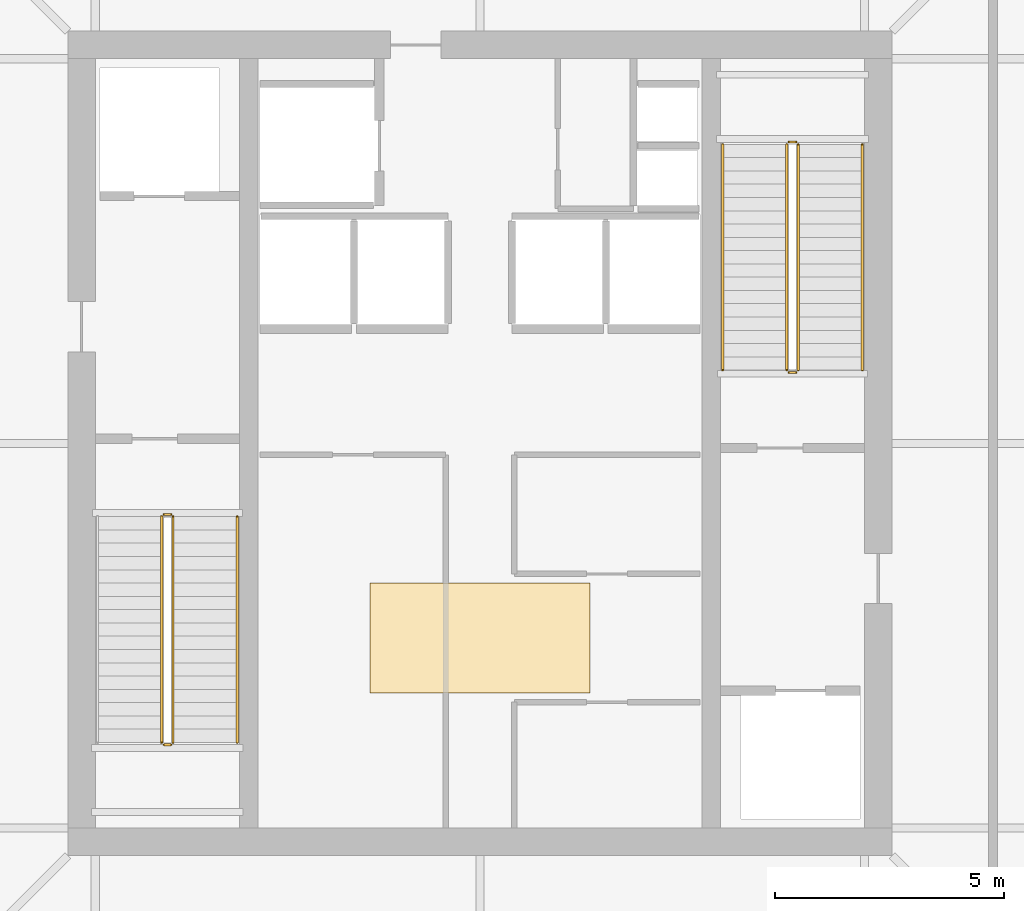
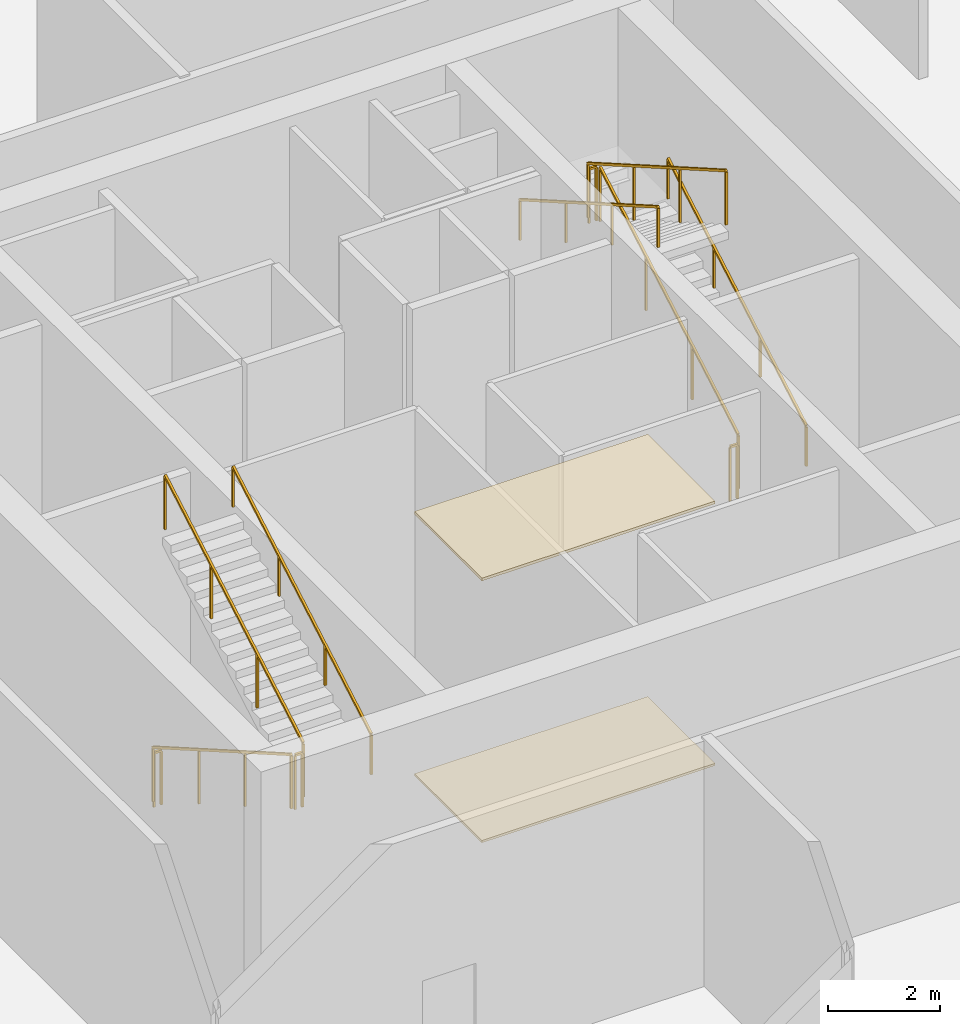
# One storey, part 6 of 7: 11 railings, 2 coverings.
"""IFC4 building model written with IfcOpenShell, lengths in metres."""

from ifc_helpers import new_model, si_unit, direction, frame, origin, origin_2d, place, context, subcontext, project, spatial, polyline, rectangle, outline, extrude, material, layer, layer_set, type_object, element, save


model = new_model("IFC4")

# Units and contexts
model_context = context("Model", 3, precision=1e-05, world=origin(), true_north=direction((0.0, 1.0)))
body_context = subcontext(model_context, "Body", "Model", "MODEL_VIEW")
ifc_project = project(units=[si_unit("LENGTHUNIT", "METRE"), si_unit("AREAUNIT", "SQUARE_METRE"), si_unit("VOLUMEUNIT", "CUBIC_METRE"), si_unit("PLANEANGLEUNIT", "RADIAN"), si_unit("MASSUNIT", "GRAM", prefix="KILO")], contexts=[model_context])

# Site, building, storey
site_placement = place(None, origin())
site = spatial("IfcSite", under=ifc_project, at=site_placement, CompositionType="ELEMENT")
building_placement = place(site_placement, origin())
building = spatial("IfcBuilding", under=site, at=building_placement, Name="Belovzor Exchange Tower", CompositionType="ELEMENT")
storey_placement = place(building_placement, frame((0.0, 0.0, 289.5)))
storey = spatial("IfcBuildingStorey", under=building, at=storey_placement, Name="L72", CompositionType="ELEMENT", Elevation=289.5)

# Railings
ifc_material_1 = material(Name="Stainless Steel Grade 304", Category="steel")
railing_type_1 = type_object("IfcRailingType", Name="Brushed Stainless Steel Stair Handrail 900", PredefinedType="HANDRAIL", material=ifc_material_1)
railing_1_placement = place(storey_placement, frame((23.5, 22.27001953125, 3.166748046875)))
element("IfcRailing", 1, at=railing_1_placement, inside=storey, type_object=railing_type_1, Name="L72 ST-1 stair handrail 2", PredefinedType="HANDRAIL", context=body_context, shape_type="SweptSolid", body=[
    extrude(rectangle(XDim=0.048095703125, YDim=0.048095703125, at=origin_2d()), frame((0.0, 0.0, 0.8759765625), z_axis=(0.0, 0.867017142139, 0.498278311025), x_axis=(-1.0, 0.0, 0.0)), (0.0, 0.0, 1.0), 5.68603515625),
    extrude(rectangle(XDim=0.0419921875, YDim=0.0419921875, at=origin_2d()), origin(), (0.0, 0.0, 1.0), 0.851806640625),
    extrude(rectangle(XDim=0.0419921875, YDim=0.0419921875, at=origin_2d()), frame((0.0, 1.643310546875, 0.9443359375)), (0.0, 0.0, 1.0), 0.851806640625),
    extrude(rectangle(XDim=0.0419921875, YDim=0.0419921875, at=origin_2d()), frame((0.0, 3.28662109375, 1.888916015625)), (0.0, 0.0, 1.0), 0.851806640625),
    extrude(rectangle(XDim=0.0419921875, YDim=0.0419921875, at=origin_2d()), frame((0.0, 4.929931640625, 2.833251953125)), (0.0, 0.0, 1.0), 0.851806640625),
])
railing_2_placement = place(storey_placement, frame((37.14990234375, 30.39990234375, 0.166748046875)))
element("IfcRailing", 2, at=railing_2_placement, inside=storey, type_object=railing_type_1, Name="L72 ST-2 stair handrail 1", PredefinedType="HANDRAIL", context=body_context, shape_type="SweptSolid", body=[
    extrude(rectangle(XDim=0.048095703125, YDim=0.048095703125, at=origin_2d()), frame((0.0, 0.0, 0.8759765625), z_axis=(0.0, 0.867027801877, 0.498259762345), x_axis=(-1.0, 0.0, 0.0)), (0.0, 0.0, 1.0), 5.686279296875),
    extrude(rectangle(XDim=0.0419921875, YDim=0.0419921875, at=origin_2d()), origin(), (0.0, 0.0, 1.0), 0.851806640625),
    extrude(rectangle(XDim=0.0419921875, YDim=0.0419921875, at=origin_2d()), frame((0.0, 1.643310546875, 0.9443359375)), (0.0, 0.0, 1.0), 0.851806640625),
    extrude(rectangle(XDim=0.0419921875, YDim=0.0419921875, at=origin_2d()), frame((0.0, 3.286865234375, 1.888916015625)), (0.0, 0.0, 1.0), 0.851806640625),
    extrude(rectangle(XDim=0.0419921875, YDim=0.0419921875, at=origin_2d()), frame((0.0, 4.93017578125, 2.833251953125)), (0.0, 0.0, 1.0), 0.851806640625),
])
railing_3_placement = place(storey_placement, frame((34.10009765625, 35.330078125, 3.166748046875)))
element("IfcRailing", 3, at=railing_3_placement, inside=storey, type_object=railing_type_1, Name="L72 ST-2 stair handrail 2", PredefinedType="HANDRAIL", context=body_context, shape_type="SweptSolid", body=[
    extrude(rectangle(XDim=0.048095703125, YDim=0.048095703125, at=origin_2d()), frame((0.0, 0.0, 0.8759765625), z_axis=(0.0, -0.867027801877, 0.498259762345), x_axis=(1.0, 0.0, 0.0)), (0.0, 0.0, 1.0), 5.686279296875),
    extrude(rectangle(XDim=0.0419921875, YDim=0.0419921875, at=origin_2d()), origin(), (0.0, 0.0, 1.0), 0.851806640625),
    extrude(rectangle(XDim=0.0419921875, YDim=0.0419921875, at=origin_2d()), frame((0.0, -1.643310546875, 0.9443359375)), (0.0, 0.0, 1.0), 0.851806640625),
    extrude(rectangle(XDim=0.0419921875, YDim=0.0419921875, at=origin_2d()), frame((0.0, -3.286865234375, 1.888916015625)), (0.0, 0.0, 1.0), 0.851806640625),
    extrude(rectangle(XDim=0.0419921875, YDim=0.0419921875, at=origin_2d()), frame((0.0, -4.93017578125, 2.833251953125)), (0.0, 0.0, 1.0), 0.851806640625),
])
ifc_material_2 = material(Name="Steel S355", Category="steel")
railing_type_2 = type_object("IfcRailingType", Name="Painted Steel Stairwell Guardrail 1200", PredefinedType="GUARDRAIL", material=ifc_material_2)
railing_4_placement = place(storey_placement, frame((21.85009765625, 27.199951171875, 0.166748046875)))
element("IfcRailing", 4, at=railing_4_placement, inside=storey, type_object=railing_type_2, Name="L72 ST-1 stair guard 1", PredefinedType="GUARDRAIL", context=body_context, shape_type="SweptSolid", body=[
    extrude(rectangle(XDim=0.048095703125, YDim=0.048095703125, at=origin_2d()), frame((0.0, 0.0, 1.17578125), z_axis=(0.0, -0.867017142139, 0.498278311025), x_axis=(1.0, 0.0, 0.0)), (0.0, 0.0, 1.0), 5.68603515625),
    extrude(rectangle(XDim=0.0419921875, YDim=0.0419921875, at=origin_2d()), origin(), (0.0, 0.0, 1.0), 1.15185546875),
    extrude(rectangle(XDim=0.0419921875, YDim=0.0419921875, at=origin_2d()), frame((0.0, -1.643310546875, 0.9443359375)), (0.0, 0.0, 1.0), 1.15185546875),
    extrude(rectangle(XDim=0.0419921875, YDim=0.0419921875, at=origin_2d()), frame((0.0, -3.28662109375, 1.888916015625)), (0.0, 0.0, 1.0), 1.15185546875),
    extrude(rectangle(XDim=0.0419921875, YDim=0.0419921875, at=origin_2d()), frame((0.0, -4.929931640625, 2.833251953125)), (0.0, 0.0, 1.0), 1.15185546875),
])
railing_5_placement = place(storey_placement, frame((21.89990234375, 22.219970703125, 3.0)))
element("IfcRailing", 5, at=railing_5_placement, inside=storey, type_object=railing_type_2, Name="L72 ST-1 stair guard 2", PredefinedType="GUARDRAIL", context=body_context, shape_type="SweptSolid", body=[
    extrude(rectangle(XDim=0.048095703125, YDim=0.048095703125, at=origin_2d()), frame((0.0, 0.0, 1.17578125), z_axis=(1.0, 0.0, 0.0), x_axis=(0.0, 1.0, 0.0)), (0.0, 0.0, 1.0), 0.150146484375),
    extrude(rectangle(XDim=0.0419921875, YDim=0.0419921875, at=origin_2d()), origin(), (0.0, 0.0, 1.0), 1.15185546875),
    extrude(rectangle(XDim=0.0419921875, YDim=0.0419921875, at=origin_2d()), frame((0.150146484375, 0.0, 0.0)), (0.0, 0.0, 1.0), 1.15185546875),
])
railing_6_placement = place(storey_placement, frame((22.10009765625, 22.27001953125, 3.166748046875)))
element("IfcRailing", 6, at=railing_6_placement, inside=storey, type_object=railing_type_2, Name="L72 ST-1 stair guard 3", PredefinedType="GUARDRAIL", context=body_context, shape_type="SweptSolid", body=[
    extrude(rectangle(XDim=0.048095703125, YDim=0.048095703125, at=origin_2d()), frame((0.0, 0.0, 1.17578125), z_axis=(0.0, 0.867017142139, 0.498278311025), x_axis=(-1.0, 0.0, 0.0)), (0.0, 0.0, 1.0), 5.68603515625),
    extrude(rectangle(XDim=0.0419921875, YDim=0.0419921875, at=origin_2d()), origin(), (0.0, 0.0, 1.0), 1.15185546875),
    extrude(rectangle(XDim=0.0419921875, YDim=0.0419921875, at=origin_2d()), frame((0.0, 1.643310546875, 0.9443359375)), (0.0, 0.0, 1.0), 1.15185546875),
    extrude(rectangle(XDim=0.0419921875, YDim=0.0419921875, at=origin_2d()), frame((0.0, 3.28662109375, 1.888916015625)), (0.0, 0.0, 1.0), 1.15185546875),
    extrude(rectangle(XDim=0.0419921875, YDim=0.0419921875, at=origin_2d()), frame((0.0, 4.929931640625, 2.833251953125)), (0.0, 0.0, 1.0), 1.15185546875),
])
railing_7_placement = place(storey_placement, frame((21.89990234375, 27.25, 0.0)))
element("IfcRailing", 7, at=railing_7_placement, inside=storey, type_object=railing_type_2, Name="L72 ST-1 stair guard 4", PredefinedType="GUARDRAIL", context=body_context, shape_type="SweptSolid", body=[
    extrude(rectangle(XDim=0.048095703125, YDim=0.048095703125, at=origin_2d()), frame((0.0, 0.0, 1.17578125), z_axis=(1.0, 0.0, 0.0), x_axis=(0.0, 1.0, 0.0)), (0.0, 0.0, 1.0), 0.150146484375),
    extrude(rectangle(XDim=0.0419921875, YDim=0.0419921875, at=origin_2d()), origin(), (0.0, 0.0, 1.0), 1.15185546875),
    extrude(rectangle(XDim=0.0419921875, YDim=0.0419921875, at=origin_2d()), frame((0.150146484375, 0.0, 0.0)), (0.0, 0.0, 1.0), 1.15185546875),
])
railing_8_placement = place(storey_placement, frame((35.75, 30.39990234375, 0.166748046875)))
element("IfcRailing", 8, at=railing_8_placement, inside=storey, type_object=railing_type_2, Name="L72 ST-2 stair guard 1", PredefinedType="GUARDRAIL", context=body_context, shape_type="SweptSolid", body=[
    extrude(rectangle(XDim=0.048095703125, YDim=0.048095703125, at=origin_2d()), frame((0.0, 0.0, 1.17578125), z_axis=(0.0, 0.867027801877, 0.498259762345), x_axis=(-1.0, 0.0, 0.0)), (0.0, 0.0, 1.0), 5.686279296875),
    extrude(rectangle(XDim=0.0419921875, YDim=0.0419921875, at=origin_2d()), origin(), (0.0, 0.0, 1.0), 1.15185546875),
    extrude(rectangle(XDim=0.0419921875, YDim=0.0419921875, at=origin_2d()), frame((0.0, 1.643310546875, 0.9443359375)), (0.0, 0.0, 1.0), 1.15185546875),
    extrude(rectangle(XDim=0.0419921875, YDim=0.0419921875, at=origin_2d()), frame((0.0, 3.286865234375, 1.888916015625)), (0.0, 0.0, 1.0), 1.15185546875),
    extrude(rectangle(XDim=0.0419921875, YDim=0.0419921875, at=origin_2d()), frame((0.0, 4.93017578125, 2.833251953125)), (0.0, 0.0, 1.0), 1.15185546875),
])
railing_9_placement = place(storey_placement, frame((35.699951171875, 35.3798828125, 3.0)))
element("IfcRailing", 9, at=railing_9_placement, inside=storey, type_object=railing_type_2, Name="L72 ST-2 stair guard 2", PredefinedType="GUARDRAIL", context=body_context, shape_type="SweptSolid", body=[
    extrude(rectangle(XDim=0.048095703125, YDim=0.048095703125, at=origin_2d()), frame((0.0, 0.0, 1.17578125), z_axis=(-1.0, 0.0, 0.0), x_axis=(0.0, -1.0, 0.0)), (0.0, 0.0, 1.0), 0.14990234375),
    extrude(rectangle(XDim=0.0419921875, YDim=0.0419921875, at=origin_2d()), origin(), (0.0, 0.0, 1.0), 1.15185546875),
    extrude(rectangle(XDim=0.0419921875, YDim=0.0419921875, at=origin_2d()), frame((-0.14990234375, 0.0, 0.0)), (0.0, 0.0, 1.0), 1.15185546875),
])
railing_10_placement = place(storey_placement, frame((35.5, 35.330078125, 3.166748046875)))
element("IfcRailing", 10, at=railing_10_placement, inside=storey, type_object=railing_type_2, Name="L72 ST-2 stair guard 3", PredefinedType="GUARDRAIL", context=body_context, shape_type="SweptSolid", body=[
    extrude(rectangle(XDim=0.048095703125, YDim=0.048095703125, at=origin_2d()), frame((0.0, 0.0, 1.17578125), z_axis=(0.0, -0.867027801877, 0.498259762345), x_axis=(1.0, 0.0, 0.0)), (0.0, 0.0, 1.0), 5.686279296875),
    extrude(rectangle(XDim=0.0419921875, YDim=0.0419921875, at=origin_2d()), origin(), (0.0, 0.0, 1.0), 1.15185546875),
    extrude(rectangle(XDim=0.0419921875, YDim=0.0419921875, at=origin_2d()), frame((0.0, -1.643310546875, 0.9443359375)), (0.0, 0.0, 1.0), 1.15185546875),
    extrude(rectangle(XDim=0.0419921875, YDim=0.0419921875, at=origin_2d()), frame((0.0, -3.286865234375, 1.888916015625)), (0.0, 0.0, 1.0), 1.15185546875),
    extrude(rectangle(XDim=0.0419921875, YDim=0.0419921875, at=origin_2d()), frame((0.0, -4.93017578125, 2.833251953125)), (0.0, 0.0, 1.0), 1.15185546875),
])
railing_11_placement = place(storey_placement, frame((35.699951171875, 30.35009765625, 0.0)))
element("IfcRailing", 11, at=railing_11_placement, inside=storey, type_object=railing_type_2, Name="L72 ST-2 stair guard 4", PredefinedType="GUARDRAIL", context=body_context, shape_type="SweptSolid", body=[
    extrude(rectangle(XDim=0.048095703125, YDim=0.048095703125, at=origin_2d()), frame((0.0, 0.0, 1.17578125), z_axis=(-1.0, 0.0, 0.0), x_axis=(0.0, -1.0, 0.0)), (0.0, 0.0, 1.0), 0.14990234375),
    extrude(rectangle(XDim=0.0419921875, YDim=0.0419921875, at=origin_2d()), origin(), (0.0, 0.0, 1.0), 1.15185546875),
    extrude(rectangle(XDim=0.0419921875, YDim=0.0419921875, at=origin_2d()), frame((-0.14990234375, 0.0, 0.0)), (0.0, 0.0, 1.0), 1.15185546875),
])

# Coverings
ifc_material_3 = material(Name="Perforated Powder-Coated Aluminium", Category="aluminium")
ifc_layer_1 = layer(ifc_material_3, 0.06005859375)
ifc_layer_set_1 = layer_set([ifc_layer_1], Name="Perforated Powder-Coated Aluminium")
covering_type_1 = type_object("IfcCoveringType", Name="Perforated Acoustic Metal Tile Suspended Ceiling 60", PredefinedType="CEILING", material=ifc_layer_set_1)
covering_1_placement = place(storey_placement, frame((0.0, 0.0, 5.699951171875)))
element("IfcCovering", 12, at=covering_1_placement, inside=storey, type_object=covering_type_1, Name="CLG-AC60 Suspended Ceiling CLG-L72-LOB", PredefinedType="CEILING", context=body_context, shape_type="SweptSolid", body=[
    extrude(outline(polyline([(26.39990234375, 23.35009765625), (31.199951171875, 23.35009765625), (31.199951171875, 25.75), (26.39990234375, 25.75), (26.39990234375, 23.35009765625)])), origin(), (0.0, 0.0, 1.0), 0.06005859375),
])
ifc_material_4 = material(Name="Polished Natural Granite Tile", Category="masonry")
ifc_layer_2 = layer(ifc_material_4, 0.050048828125)
ifc_layer_set_2 = layer_set([ifc_layer_2], Name="Polished Natural Granite Tile")
covering_type_2 = type_object("IfcCoveringType", Name="Polished Karelian Granite & Raised Access Floor Finish 50", PredefinedType="FLOORING", material=ifc_layer_set_2)
covering_2_placement = place(storey_placement, origin())
element("IfcCovering", 13, at=covering_2_placement, inside=storey, type_object=covering_type_2, Name="FLR-GR50 Floor Finish FLR-L72-LOB", PredefinedType="FLOORING", context=body_context, shape_type="SweptSolid", body=[
    extrude(outline(polyline([(26.39990234375, 23.35009765625), (31.199951171875, 23.35009765625), (31.199951171875, 25.75), (26.39990234375, 25.75), (26.39990234375, 23.35009765625)])), origin(), (0.0, 0.0, 1.0), 0.050048828125),
])

save(model, "model.ifc")
